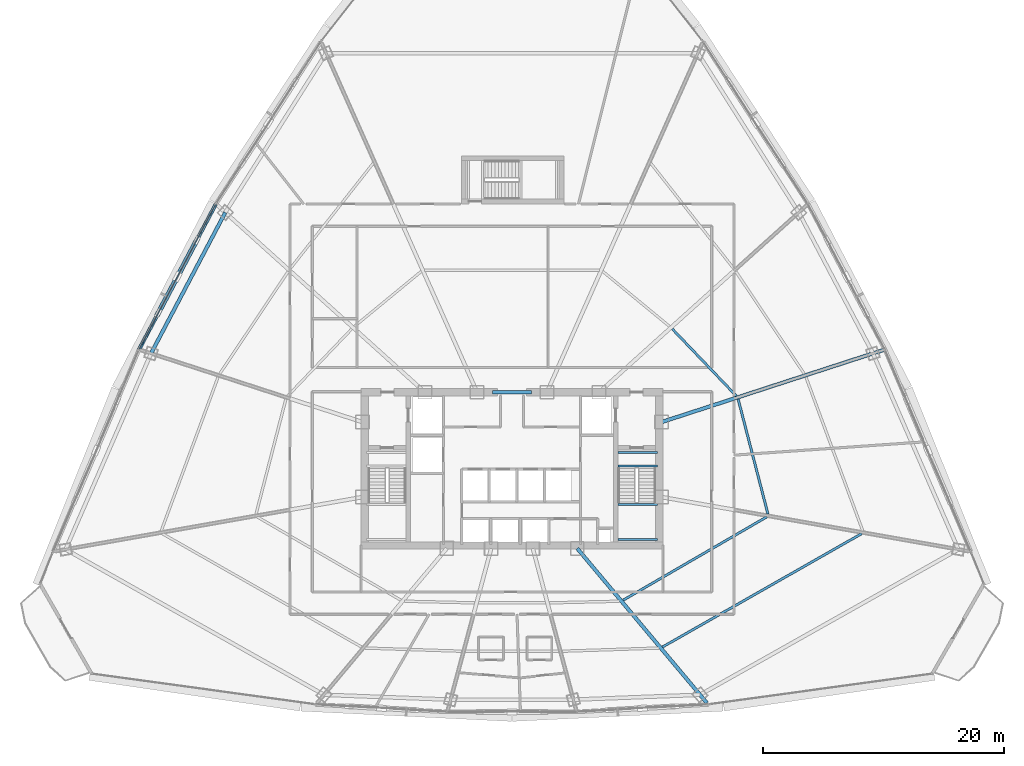
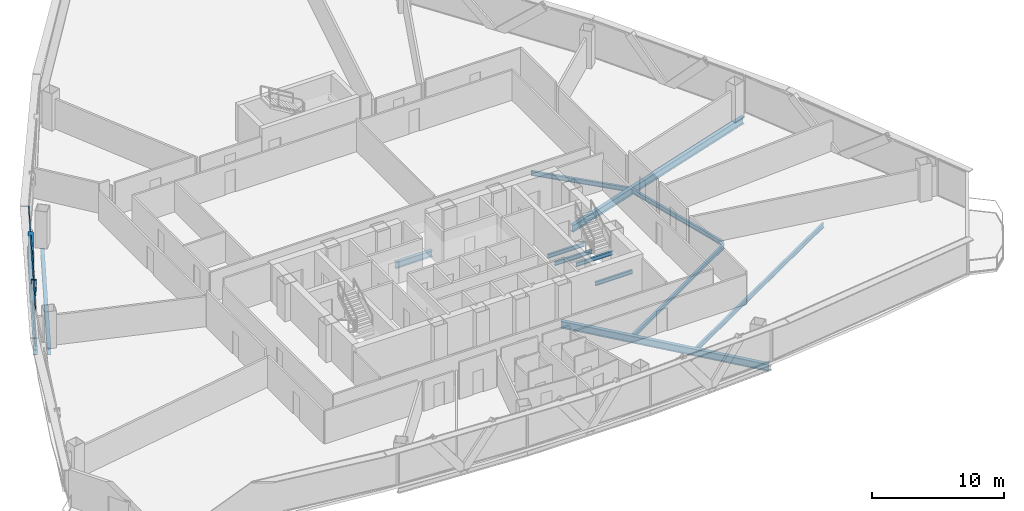
# One storey, part 15 of 39: 13 beams, 4 members, 1 element without a shape of its own.
"""IFC4 building model written with IfcOpenShell, lengths in metres."""

from ifc_helpers import new_model, si_unit, direction, frame, origin, origin_2d, place, context, subcontext, project, spatial, hollow_rectangle, i_section, extrude, source, transform, mapped, material, layer, layer_set, material_profile, profile_set, type_object, element, aggregate, save


model = new_model("IFC4")

# Units and contexts
model_context = context("Model", 3, precision=1e-05, world=origin(), true_north=direction((0.0, 1.0)))
body_context = subcontext(model_context, "Body", "Model", "MODEL_VIEW")
ifc_project = project(units=[si_unit("LENGTHUNIT", "METRE"), si_unit("AREAUNIT", "SQUARE_METRE"), si_unit("VOLUMEUNIT", "CUBIC_METRE"), si_unit("PLANEANGLEUNIT", "RADIAN"), si_unit("MASSUNIT", "GRAM", prefix="KILO"), si_unit("THERMODYNAMICTEMPERATUREUNIT", "KELVIN"), si_unit("POWERUNIT", "WATT")], contexts=[model_context])

# Site, building, storey
site_placement = place(None, origin())
site = spatial("IfcSite", under=ifc_project, at=site_placement, CompositionType="ELEMENT")
building_placement = place(site_placement, origin())
building = spatial("IfcBuilding", under=site, at=building_placement, Name="Yunzhuo Pagoda Commons", CompositionType="ELEMENT")
storey_placement = place(building_placement, frame((0.0, 0.0, 166.6298828125)))
storey = spatial("IfcBuildingStorey", under=building, at=storey_placement, Name="L42", CompositionType="ELEMENT", Elevation=166.6298828125)

# Beams
ifc_material_1 = material(Name="Structural steel Q355B", Category="steel")
ifc_material_profile_1 = material_profile(ifc_material_1, i_section(OverallWidth=0.175048828125, OverallDepth=0.35009765625, WebThickness=0.007080078125, FlangeThickness=0.010986328125, at=origin_2d()), Name="Structural steel Q355B")
ifc_profile_set_1 = profile_set([ifc_material_profile_1], Name="Structural steel Q355B")
beam_type_1 = type_object("IfcBeamType", Name="B-JS2 Joist HN 350x175x7x11", PredefinedType="JOIST", material=ifc_profile_set_1)
shared_shape_1 = source(origin(), body_context, "Body", "SweptSolid", [
    extrude(i_section(OverallWidth=0.175048828125, OverallDepth=0.35009765625, WebThickness=0.007080078125, FlangeThickness=0.010986328125, at=origin_2d()), origin(), (0.0, 0.0, 1.0), 3.25),
])
for number, where, z_axis, x_axis, name in (
    (1, (56.800048828125, 28.0, 1.465087890625), (1.0, 0.0, 0.0), (0.0, 1.0, 0.0), "L42 ST2 landing support beam 48A"),
    (2, (56.800048828125, 30.89990234375, 1.465087890625), (1.0, 0.0, 0.0), (0.0, 1.0, 0.0), "L42 ST2 landing support beam 48B"),
    (3, (56.800048828125, 34.10009765625, -0.375), (1.0, 0.0, 0.0), (0.0, 1.0, 0.0), "L42 ST2 landing support beam 146A"),
    (4, (56.800048828125, 35.199951171875, -0.375), (1.0, 0.0, 0.0), (0.0, 1.0, 0.0), "L42 ST2 landing support beam 146B"),
):
    element("IfcBeam", number, at=place(storey_placement, frame(where, z_axis=z_axis, x_axis=x_axis)), inside=storey, type_object=beam_type_1, Name=name, PredefinedType="JOIST", context=body_context, shape_type="MappedRepresentation", body=[
        mapped(shared_shape_1, transform((0.0, 0.0, 0.0), scale=1.0)),
    ])
ifc_material_2 = material(Name="Structural steel Q420B", Category="steel")
ifc_material_profile_2 = material_profile(ifc_material_2, i_section(OverallWidth=0.300048828125, OverallDepth=0.587890625, WebThickness=0.011962890625, FlangeThickness=0.02001953125, at=origin_2d()), Name="Structural steel Q420B")
ifc_profile_set_2 = profile_set([ifc_material_profile_2], Name="Structural steel Q420B")
beam_type_2 = type_object("IfcBeamType", Name="B-CPL Beam HM 588x300x12x20", PredefinedType="BEAM", material=ifc_profile_set_2)
shared_shape_2 = source(origin(), body_context, "Body", "SweptSolid", [
    extrude(i_section(OverallWidth=0.300048828125, OverallDepth=0.587890625, WebThickness=0.011962890625, FlangeThickness=0.02001953125, at=origin_2d()), origin(), (0.0, 0.0, 1.0), 3.2001953125),
])
beam_1_placement = place(storey_placement, frame((46.39990234375, 40.199951171875, -0.553955078125), z_axis=(1.0, 0.0, 0.0), x_axis=(0.0, 1.0, 0.0)))
element("IfcBeam", 5, at=beam_1_placement, inside=storey, type_object=beam_type_2, Name="L42 core coupling girder", PredefinedType="BEAM", context=body_context, shape_type="MappedRepresentation", body=[
    mapped(shared_shape_2, transform((0.0, 0.0, 0.0), scale=1.0)),
])
ifc_material_profile_3 = material_profile(ifc_material_1, i_section(OverallWidth=0.199951171875, OverallDepth=0.39990234375, WebThickness=0.008056640625, FlangeThickness=0.012939453125, at=origin_2d()), Name="Structural steel Q355B")
ifc_profile_set_3 = profile_set([ifc_material_profile_3], Name="Structural steel Q355B")
beam_type_3 = type_object("IfcBeamType", Name="B-JS1 Joist HN 400x200x8x13", PredefinedType="JOIST", material=ifc_profile_set_3)
shared_shape_3 = source(origin(), body_context, "Body", "SweptSolid", [
    extrude(i_section(OverallWidth=0.199951171875, OverallDepth=0.39990234375, WebThickness=0.008056640625, FlangeThickness=0.012939453125, at=origin_2d()), origin(), (0.0, 0.0, 1.0), 13.76416015625),
])
beam_2_placement = place(storey_placement, frame((57.2119140625, 22.96533203125, -0.4599609375), z_axis=(0.864967288101, 0.501828248025, 0.0), x_axis=(-0.501828248025, 0.864967288101, 0.0)))
element("IfcBeam", 6, at=beam_2_placement, inside=storey, type_object=beam_type_3, Name="L42 composite ring joist 1.4", PredefinedType="JOIST", context=body_context, shape_type="MappedRepresentation", body=[
    mapped(shared_shape_3, transform((0.0, 0.0, 0.0), scale=1.0)),
])
shared_shape_4 = source(origin(), body_context, "Body", "SweptSolid", [
    extrude(i_section(OverallWidth=0.199951171875, OverallDepth=0.39990234375, WebThickness=0.008056640625, FlangeThickness=0.012939453125, at=origin_2d()), origin(), (0.0, 0.0, 1.0), 19.007568359375),
])
beam_3_placement = place(storey_placement, frame((60.468017578125, 19.08447265625, -0.4599609375), z_axis=(0.869119947472, 0.494601371718, 0.0), x_axis=(-0.494601371718, 0.869119947472, 0.0)))
element("IfcBeam", 7, at=beam_3_placement, inside=storey, type_object=beam_type_3, Name="L42 composite ring joist 2.4", PredefinedType="JOIST", context=body_context, shape_type="MappedRepresentation", body=[
    mapped(shared_shape_4, transform((0.0, 0.0, 0.0), scale=1.0)),
])
shared_shape_5 = source(origin(), body_context, "Body", "SweptSolid", [
    extrude(i_section(OverallWidth=0.199951171875, OverallDepth=0.39990234375, WebThickness=0.008056640625, FlangeThickness=0.012939453125, at=origin_2d()), origin(), (0.0, 0.0, 1.0), 9.8330078125),
])
beam_4_placement = place(storey_placement, frame((69.215087890625, 30.10595703125, -0.4599609375), z_axis=(-0.251166367041, 0.967943932295, 0.0), x_axis=(-0.967943932295, -0.251166367041, 0.0)))
element("IfcBeam", 8, at=beam_4_placement, inside=storey, type_object=beam_type_3, Name="L42 composite ring joist 1.5", PredefinedType="JOIST", context=body_context, shape_type="MappedRepresentation", body=[
    mapped(shared_shape_5, transform((0.0, 0.0, 0.0), scale=1.0)),
])
ifc_material_profile_4 = material_profile(ifc_material_1, i_section(OverallWidth=0.300048828125, OverallDepth=0.64990234375, WebThickness=0.012939453125, FlangeThickness=0.02197265625, at=origin_2d()), Name="Structural steel Q355B")
ifc_profile_set_4 = profile_set([ifc_material_profile_4], Name="Structural steel Q355B")
beam_type_4 = type_object("IfcBeamType", Name="B-RG2 Beam HN 650x300x13x22", PredefinedType="BEAM", material=ifc_profile_set_4)
shared_shape_6 = source(origin(), body_context, "Body", "SweptSolid", [
    extrude(i_section(OverallWidth=0.300048828125, OverallDepth=0.64990234375, WebThickness=0.012939453125, FlangeThickness=0.02197265625, at=origin_2d()), origin(), (0.0, 0.0, 1.0), 13.198974609375),
])
beam_5_placement = place(storey_placement, frame((24.23388671875, 55.09912109375, -0.5849609375), z_axis=(-0.465885937554, -0.884844784801, 0.0), x_axis=(0.884844784801, -0.465885937554, 0.0)))
element("IfcBeam", 9, at=beam_5_placement, inside=storey, type_object=beam_type_4, Name="L42 column-ring beam 10", PredefinedType="BEAM", context=body_context, shape_type="MappedRepresentation", body=[
    mapped(shared_shape_6, transform((0.0, 0.0, 0.0), scale=1.0)),
])
shared_shape_7 = source(origin(), body_context, "Body", "SweptSolid", [
    extrude(i_section(OverallWidth=0.199951171875, OverallDepth=0.39990234375, WebThickness=0.008056640625, FlangeThickness=0.012939453125, at=origin_2d()), origin(), (0.0, 0.0, 1.0), 7.685546875),
])
beam_6_placement = place(storey_placement, frame((66.595703125, 39.892578125, -0.4599609375), z_axis=(-0.690882862648, 0.722966714378, 0.0), x_axis=(-0.722966714378, -0.690882862648, 0.0)))
element("IfcBeam", 10, at=beam_6_placement, inside=storey, type_object=beam_type_3, Name="L42 composite ring joist 1.6", PredefinedType="JOIST", context=body_context, shape_type="MappedRepresentation", body=[
    mapped(shared_shape_7, transform((0.0, 0.0, 0.0), scale=1.0)),
])
shared_shape_8 = source(origin(), body_context, "Body", "SweptSolid", [
    extrude(i_section(OverallWidth=0.300048828125, OverallDepth=0.64990234375, WebThickness=0.012939453125, FlangeThickness=0.02197265625, at=origin_2d()), origin(), (0.0, 0.0, 1.0), 16.721435546875),
])
beam_7_placement = place(storey_placement, frame((64.160400390625, 14.440673828125, -0.5849609375), z_axis=(-0.642787263979, 0.766044733202, 0.0), x_axis=(-0.766044733202, -0.642787263979, 0.0)))
element("IfcBeam", 11, at=beam_7_placement, inside=storey, type_object=beam_type_4, Name="L42 radial floor girder F1C4", PredefinedType="BEAM", context=body_context, shape_type="MappedRepresentation", body=[
    mapped(shared_shape_8, transform((0.0, 0.0, 0.0), scale=1.0)),
])
shared_shape_9 = source(origin(), body_context, "Body", "SweptSolid", [
    extrude(i_section(OverallWidth=0.300048828125, OverallDepth=0.64990234375, WebThickness=0.012939453125, FlangeThickness=0.02197265625, at=origin_2d()), origin(), (0.0, 0.0, 1.0), 19.31201171875),
])
beam_8_placement = place(storey_placement, frame((78.7666015625, 43.69677734375, -0.5849609375), z_axis=(-0.951055434175, -0.309020324777, 0.0), x_axis=(0.309020324777, -0.951055434175, 0.0)))
element("IfcBeam", 12, at=beam_8_placement, inside=storey, type_object=beam_type_4, Name="L42 radial floor girder F2C2", PredefinedType="BEAM", context=body_context, shape_type="MappedRepresentation", body=[
    mapped(shared_shape_9, transform((0.0, 0.0, 0.0), scale=1.0)),
])
ifc_material_profile_5 = material_profile(ifc_material_1, i_section(OverallWidth=0.300048828125, OverallDepth=0.488037109375, WebThickness=0.010986328125, FlangeThickness=0.01806640625, at=origin_2d()), Name="Structural steel Q355B")
ifc_profile_set_5 = profile_set([ifc_material_profile_5], Name="Structural steel Q355B")
beam_type_5 = type_object("IfcBeamType", Name="B-SP1 Beam HM 488x300x11x18", PredefinedType="BEAM", material=ifc_profile_set_5)
shared_shape_10 = source(origin(), body_context, "Body", "SweptSolid", [
    extrude(i_section(OverallWidth=0.300048828125, OverallDepth=0.488037109375, WebThickness=0.010986328125, FlangeThickness=0.01806640625, at=origin_2d()), origin(), (0.0, 0.0, 1.0), 13.63525390625),
])
beam_9_placement = place(storey_placement, frame((23.45361328125, 55.8017578125, -0.50390625), z_axis=(-0.466985007002, -0.884265233533, 0.0), x_axis=(0.884265233533, -0.466985007002, 0.0)))
element("IfcBeam", 13, at=beam_9_placement, inside=storey, type_object=beam_type_5, Name="L42 facade edge spandrel beam F3.2", PredefinedType="BEAM", context=body_context, shape_type="MappedRepresentation", body=[
    mapped(shared_shape_10, transform((0.0, 0.0, 0.0), scale=1.0)),
])

# Members
ifc_material_profile_6 = material_profile(ifc_material_1, hollow_rectangle(XDim=0.39990234375, YDim=0.719970703125, WallThickness=0.02392578125, at=origin_2d()), Name="Structural steel Q355B")
ifc_profile_set_6 = profile_set([ifc_material_profile_6], Name="Structural steel Q355B")
member_type_1 = type_object("IfcMemberType", Name="M-DL2 Brace BOX 720x400x24", PredefinedType="BRACE", material=ifc_profile_set_6)
shared_shape_11 = source(origin(), body_context, "Body", "SweptSolid", [
    extrude(hollow_rectangle(XDim=0.39990234375, YDim=0.719970703125, WallThickness=0.02392578125, at=origin_2d()), origin(), (0.0, 0.0, 1.0), 5.016357421875),
])
member_1_placement = place(storey_placement, frame((20.269775390625, 49.773193359375, -0.259765625), z_axis=(0.317374454176, 0.600923537144, 0.73359686364), x_axis=(-0.884250862054, 0.46701221928, 0.0)))
element("IfcMember", 14, at=member_1_placement, inside=storey, type_object=member_type_1, Name="L42 facade diamond brace F3.2L", PredefinedType="BRACE", context=body_context, shape_type="MappedRepresentation", body=[
    mapped(shared_shape_11, transform((0.0, 0.0, 0.0), scale=1.0)),
])
shared_shape_12 = source(origin(), body_context, "Body", "SweptSolid", [
    extrude(hollow_rectangle(XDim=0.39990234375, YDim=0.719970703125, WallThickness=0.02392578125, at=origin_2d()), origin(), (0.0, 0.0, 1.0), 5.01611328125),
])
member_2_placement = place(storey_placement, frame((20.269775390625, 49.773193359375, -0.259765625), z_axis=(-0.317286915563, -0.600942099473, 0.733619524204), x_axis=(0.884310007967, -0.466900213974, 0.0)))
element("IfcMember", 15, at=member_2_placement, inside=storey, type_object=member_type_1, Name="L42 facade diamond brace F3.2R", PredefinedType="BRACE", context=body_context, shape_type="MappedRepresentation", body=[
    mapped(shared_shape_12, transform((0.0, 0.0, 0.0), scale=1.0)),
])

# Curtain wall, members
ifc_material_3 = material(Name="Anodized aluminium 6063-T6", Category="aluminium")
ifc_layer = layer(ifc_material_3, 0.14990234375)
ifc_layer_set = layer_set([ifc_layer], Name="Anodized aluminium 6063-T6")
curtain_wall_type = type_object("IfcCurtainWallType", Name="CW-MID Mid-Zone Ribbon Curtain Wall", PredefinedType="NOTDEFINED", material=ifc_layer_set)
curtain_wall_placement = place(storey_placement, origin())
curtain_wall = element("IfcCurtainWall", 16, at=curtain_wall_placement, inside=storey, type_object=curtain_wall_type, Name="L42 curtain wall CW-L42-F3B3", PredefinedType="NOTDEFINED")
ifc_material_profile_7 = material_profile(ifc_material_3, hollow_rectangle(XDim=0.054931640625, YDim=0.1298828125, WallThickness=0.00341796875, at=origin_2d()), Name="Anodized aluminium 6063-T6")
ifc_profile_set_7 = profile_set([ifc_material_profile_7], Name="Anodized aluminium 6063-T6")
member_type_2 = type_object("IfcMemberType", Name="CW-MID-T Transom RHS 130x55x3.5", PredefinedType="USERDEFINED", material=ifc_profile_set_7)
shared_shape_13 = source(origin(), body_context, "Body", "SweptSolid", [
    extrude(hollow_rectangle(XDim=0.054931640625, YDim=0.1298828125, WallThickness=0.00341796875, at=origin_2d()), origin(), (0.0, 0.0, 1.0), 13.51513671875),
])
member_3_placement = place(storey_placement, frame((23.425537109375, 55.74853515625, 0.027587890625), z_axis=(-0.466995257816, -0.88425981995, 0.0), x_axis=(0.88425981995, -0.466995257816, 0.0)))
member_3 = element("IfcMember", 17, at=member_3_placement, type_object=member_type_2, Name="CW transom 1.1", ObjectType="TRANSOM", PredefinedType="USERDEFINED", context=body_context, shape_type="MappedRepresentation", body=[
    mapped(shared_shape_13, transform((0.0, 0.0, 0.0), scale=1.0)),
])
member_4_placement = place(storey_placement, frame((23.425537109375, 55.74853515625, 3.392578125), z_axis=(-0.466995257816, -0.88425981995, 0.0), x_axis=(0.88425981995, -0.466995257816, 0.0)))
member_4 = element("IfcMember", 18, at=member_4_placement, type_object=member_type_2, Name="CW transom 1.2", ObjectType="TRANSOM", PredefinedType="USERDEFINED", context=body_context, shape_type="MappedRepresentation", body=[
    mapped(shared_shape_13, transform((0.0, 0.0, 0.0), scale=1.0)),
])
aggregate(curtain_wall, [member_3, member_4])

save(model, "model.ifc")
